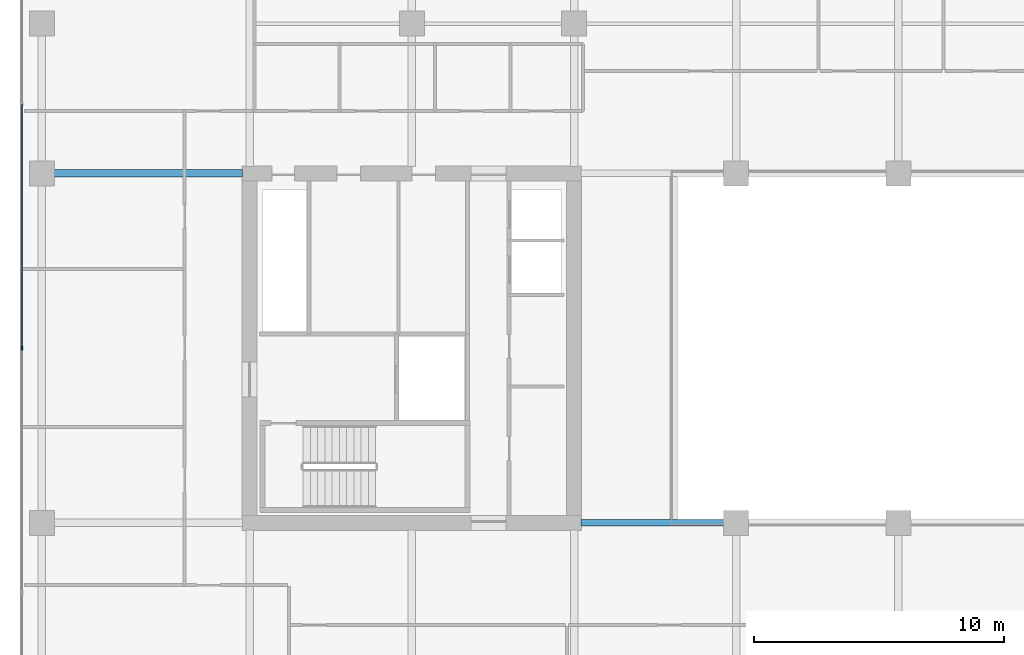
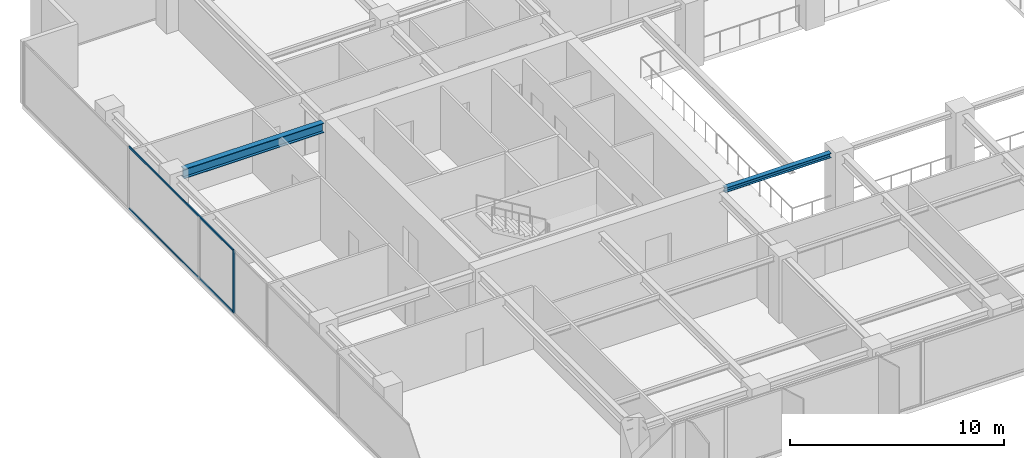
# One storey, part 4 of 22: 3 members, 2 beams, 1 element without a shape of its own.
"""IFC4 building model written with IfcOpenShell, lengths in metres."""

from ifc_helpers import new_model, si_unit, direction, frame, origin, origin_2d, place, context, subcontext, project, spatial, rectangle, i_section, extrude, material, layer, layer_set, material_profile, profile_set, type_object, element, aggregate, save


model = new_model("IFC4")

# Units and contexts
model_context = context("Model", 3, precision=1e-05, world=origin(), true_north=direction((0.0, 1.0)))
body_context = subcontext(model_context, "Body", "Model", "MODEL_VIEW")
ifc_project = project(units=[si_unit("LENGTHUNIT", "METRE"), si_unit("AREAUNIT", "SQUARE_METRE"), si_unit("VOLUMEUNIT", "CUBIC_METRE"), si_unit("PLANEANGLEUNIT", "RADIAN"), si_unit("MASSUNIT", "GRAM", prefix="KILO")], contexts=[model_context])

# Site, building, storey
site_placement = place(None, origin())
site = spatial("IfcSite", under=ifc_project, at=site_placement, CompositionType="ELEMENT")
building_placement = place(site_placement, origin())
building = spatial("IfcBuilding", under=site, at=building_placement, Name="Putna Gate Headquarters", CompositionType="ELEMENT")
storey_placement = place(building_placement, frame((0.0, 0.0, 189.800048828125)))
storey = spatial("IfcBuildingStorey", under=building, at=storey_placement, Name="L47", CompositionType="ELEMENT", Elevation=189.800048828125)

# Beams
ifc_material_1 = material(Name="Steel S355J2", Category="steel")
ifc_material_profile_1 = material_profile(ifc_material_1, i_section(OverallWidth=0.260009765625, OverallDepth=0.260009765625, WebThickness=0.010009765625, FlangeThickness=0.017578125, at=origin_2d()), Name="Steel S355J2")
ifc_profile_set_1 = profile_set([ifc_material_profile_1], Name="Steel S355J2")
beam_type_1 = type_object("IfcBeamType", Name="BM-ATRIUM-HEB260", PredefinedType="BEAM", material=ifc_profile_set_1)
beam_1_placement = place(storey_placement, frame((26.284912109375, 19.0, 3.44189453125), z_axis=(1.0, 0.0, 0.0), x_axis=(0.0, 1.0, 0.0)))
element("IfcBeam", 1, at=beam_1_placement, inside=storey, type_object=beam_type_1, Name="L47 Atrium Edge Beam AS1", PredefinedType="BEAM", context=body_context, shape_type="SweptSolid", body=[
    extrude(i_section(OverallWidth=0.260009765625, OverallDepth=0.260009765625, WebThickness=0.010009765625, FlangeThickness=0.017578125, at=origin_2d()), origin(), (0.0, 0.0, 1.0), 5.72705078125),
])
ifc_material_profile_2 = material_profile(ifc_material_1, i_section(OverallWidth=0.300048828125, OverallDepth=0.550048828125, WebThickness=0.014892578125, FlangeThickness=0.029052734375, at=origin_2d()), Name="Steel S355J2")
ifc_profile_set_2 = profile_set([ifc_material_profile_2], Name="Steel S355J2")
beam_type_2 = type_object("IfcBeamType", Name="BM-GIRD-Z3-HEB550", PredefinedType="USERDEFINED", material=ifc_profile_set_2)
beam_2_placement = place(storey_placement, frame((5.16796875, 33.0, 3.296875), z_axis=(1.0, 0.0, 0.0), x_axis=(0.0, 1.0, 0.0)))
element("IfcBeam", 2, at=beam_2_placement, inside=storey, type_object=beam_type_2, Name="L47 West Wing Girder Y33", ObjectType="GIRDER", PredefinedType="USERDEFINED", context=body_context, shape_type="SweptSolid", body=[
    extrude(i_section(OverallWidth=0.300048828125, OverallDepth=0.550048828125, WebThickness=0.014892578125, FlangeThickness=0.029052734375, at=origin_2d()), origin(), (0.0, 0.0, 1.0), 7.547119140625),
])

# Curtain wall, members
ifc_material_2 = material(Name="Anodised bronze aluminium curtain wall", Category="aluminium")
ifc_layer = layer(ifc_material_2, 0.159912109375)
ifc_layer_set = layer_set([ifc_layer], Name="Anodised bronze aluminium curtain wall")
curtain_wall_type = type_object("IfcCurtainWallType", Name="CW-SYS-Z3", PredefinedType="USERDEFINED", material=ifc_layer_set)
curtain_wall_placement = place(storey_placement, origin())
curtain_wall = element("IfcCurtainWall", 3, at=curtain_wall_placement, inside=storey, type_object=curtain_wall_type, Name="L47 West Curtain Wall", ObjectType="STICK CURTAIN WALL", PredefinedType="USERDEFINED")
ifc_material_3 = material(Name="Anodised bronze aluminium EN AW-6060", Category="aluminium")
ifc_material_profile_3 = material_profile(ifc_material_3, rectangle(XDim=0.06494140625, YDim=0.159912109375, at=origin_2d()), Name="Anodised bronze aluminium EN AW-6060")
ifc_profile_set_3 = profile_set([ifc_material_profile_3], Name="Anodised bronze aluminium EN AW-6060")
member_type_1 = type_object("IfcMemberType", Name="MULL-CWM-3", PredefinedType="MULLION", material=ifc_profile_set_3)
member_1_placement = place(storey_placement, frame((3.8798828125, 26.0, 0.0), z_axis=(0.0, 0.0, 1.0), x_axis=(-1.0, 0.0, 0.0)))
member_1 = element("IfcMember", 4, at=member_1_placement, type_object=member_type_1, Name="CWS-3 mullion 3", PredefinedType="MULLION", context=body_context, shape_type="SweptSolid", body=[
    extrude(rectangle(XDim=0.06494140625, YDim=0.159912109375, at=origin_2d()), origin(), (0.0, 0.0, 1.0), 3.572021484375),
])
ifc_material_profile_4 = material_profile(ifc_material_3, rectangle(XDim=0.06005859375, YDim=0.10009765625, at=origin_2d()), Name="Anodised bronze aluminium EN AW-6060")
ifc_profile_set_4 = profile_set([ifc_material_profile_4], Name="Anodised bronze aluminium EN AW-6060")
member_type_2 = type_object("IfcMemberType", Name="TRAN-CWT-3", PredefinedType="USERDEFINED", material=ifc_profile_set_4)
member_2_placement = place(storey_placement, frame((3.8798828125, 26.032470703125, 0.030029296875), z_axis=(0.0, 1.0, 0.0), x_axis=(-1.0, 0.0, 0.0)))
member_2 = element("IfcMember", 5, at=member_2_placement, type_object=member_type_2, Name="CWS-3 transom 3.1", ObjectType="TRANSOM", PredefinedType="USERDEFINED", context=body_context, shape_type="SweptSolid", body=[
    extrude(rectangle(XDim=0.06005859375, YDim=0.10009765625, at=origin_2d()), origin(), (0.0, 0.0, 1.0), 9.735107421875),
])
member_3_placement = place(storey_placement, frame((3.8798828125, 26.032470703125, 3.5419921875), z_axis=(0.0, 1.0, 0.0), x_axis=(-1.0, 0.0, 0.0)))
member_3 = element("IfcMember", 6, at=member_3_placement, type_object=member_type_2, Name="CWS-3 transom 3.2", ObjectType="TRANSOM", PredefinedType="USERDEFINED", context=body_context, shape_type="SweptSolid", body=[
    extrude(rectangle(XDim=0.06005859375, YDim=0.10009765625, at=origin_2d()), origin(), (0.0, 0.0, 1.0), 9.735107421875),
])
aggregate(curtain_wall, [member_1, member_2, member_3])

save(model, "model.ifc")
